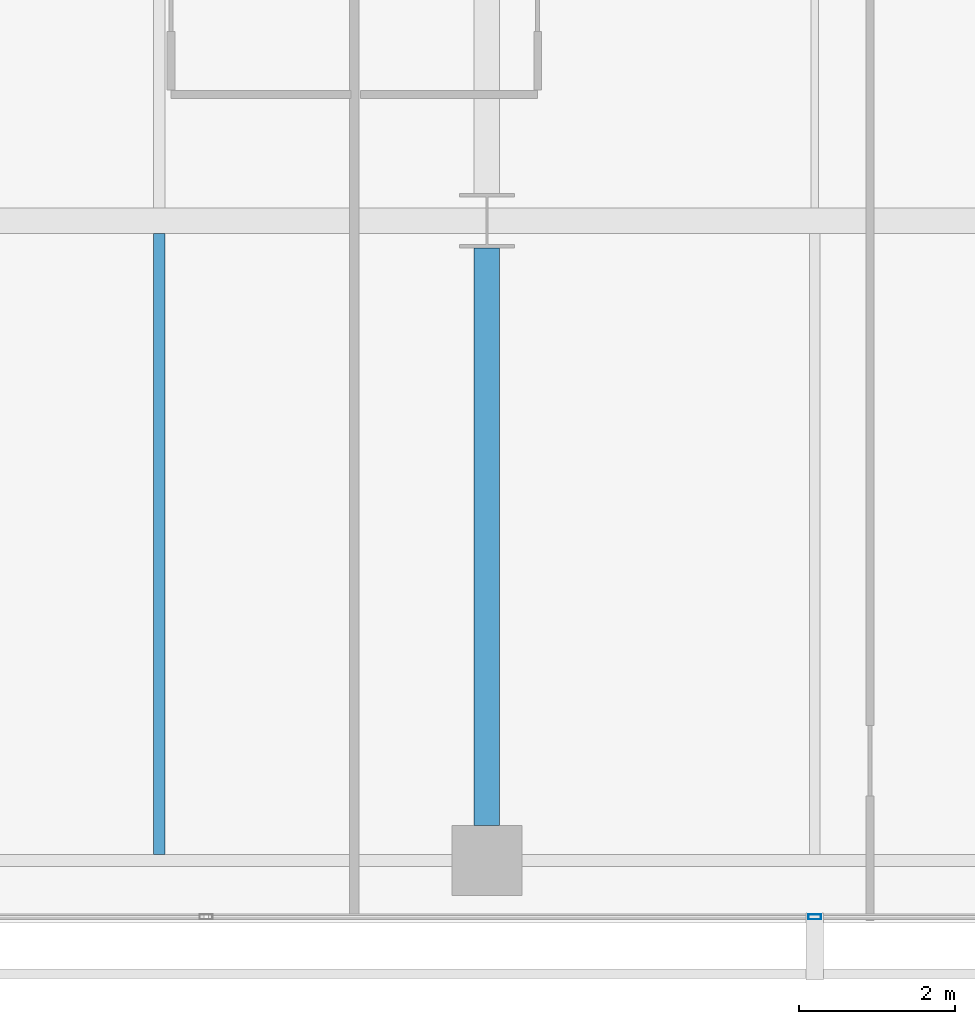
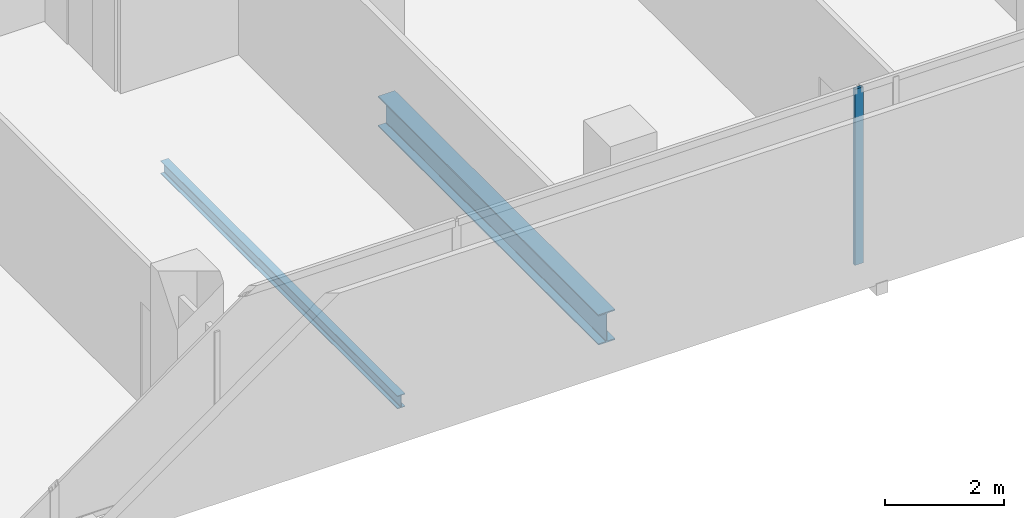
# One storey, part 8 of 39: 2 beams, 1 member, 1 element without a shape of its own.
"""IFC4 building model written with IfcOpenShell, lengths in metres."""

from ifc_helpers import new_model, si_unit, direction, frame, origin, origin_2d, place, context, subcontext, project, spatial, hollow_rectangle, i_section, extrude, material, layer, layer_set, material_profile, profile_set, type_object, element, aggregate, save


model = new_model("IFC4")

# Units and contexts
model_context = context("Model", 3, precision=1e-05, world=origin(), true_north=direction((0.0, 1.0)))
body_context = subcontext(model_context, "Body", "Model", "MODEL_VIEW")
ifc_project = project(units=[si_unit("LENGTHUNIT", "METRE"), si_unit("AREAUNIT", "SQUARE_METRE"), si_unit("VOLUMEUNIT", "CUBIC_METRE"), si_unit("PLANEANGLEUNIT", "RADIAN"), si_unit("MASSUNIT", "GRAM", prefix="KILO")], contexts=[model_context])

# Site, building, storey
site_placement = place(None, origin())
site = spatial("IfcSite", under=ifc_project, at=site_placement, CompositionType="ELEMENT")
building_placement = place(site_placement, origin())
building = spatial("IfcBuilding", under=site, at=building_placement, Name="Maruvema Waterfront Hotel and Observation Tower", CompositionType="ELEMENT")
storey_placement = place(building_placement, frame((0.0, 0.0, 69.300048828125)))
storey = spatial("IfcBuildingStorey", under=building, at=storey_placement, Name="L16", CompositionType="ELEMENT", Elevation=69.300048828125)

# Curtain wall, member
ifc_material_1 = material(Name="Anodised bronze aluminium and solar-control low-E IGU", Category="aluminium")
ifc_layer = layer(ifc_material_1, 0.159912109375, Name="Zone 1 Bronze Inner Thermal Curtain Wall System CW-02")
ifc_layer_set = layer_set([ifc_layer], Name="Anodised bronze aluminium and solar-control low-E IGU")
curtain_wall_type = type_object("IfcCurtainWallType", Name="Zone 1 Bronze Inner Thermal Curtain Wall System CW-02", PredefinedType="USERDEFINED", material=ifc_layer_set)
curtain_wall_placement = place(storey_placement, origin())
curtain_wall = element("IfcCurtainWall", 1, at=curtain_wall_placement, inside=storey, type_object=curtain_wall_type, Name="L16 Curtain Wall CW-L16-S", ObjectType="UNITISED CURTAIN WALL", PredefinedType="USERDEFINED")
ifc_material_2 = material(Name="Anodised architectural bronze aluminium", Category="aluminium")
ifc_material_profile_1 = material_profile(ifc_material_2, hollow_rectangle(XDim=0.06494140625, YDim=0.1650390625, WallThickness=0.00390625, at=origin_2d()), Name="ALU-M65x165")
ifc_profile_set_1 = profile_set([ifc_material_profile_1], Name="Anodised architectural bronze aluminium")
member_type = type_object("IfcMemberType", Name="Curtain Wall Primary Mullion ALU-M65x165", PredefinedType="MULLION", material=ifc_profile_set_1)
member_placement = place(storey_placement, frame((37.800048828125, 0.080078125, 0.0), z_axis=(0.0, 0.0, 1.0), x_axis=(0.0, 1.0, 0.0)))
member = element("IfcMember", 2, at=member_placement, type_object=member_type, Name="CW-02 mullion 4", PredefinedType="MULLION", context=body_context, shape_type="SweptSolid", body=[
    extrude(hollow_rectangle(XDim=0.06494140625, YDim=0.1650390625, WallThickness=0.00390625, at=origin_2d()), origin(), (0.0, 0.0, 1.0), 3.60986328125),
])
aggregate(curtain_wall, [member])

# Beams
ifc_material_3 = material(Name="Steel ASTM A572 Grade 50", Category="steel")
ifc_material_profile_2 = material_profile(ifc_material_3, i_section(OverallWidth=0.326904296875, OverallDepth=0.6220703125, WebThickness=0.015380859375, FlangeThickness=0.0244140625, FilletRadius=0.01806640625, at=origin_2d()), Name="W610x195.0")
ifc_profile_set_2 = profile_set([ifc_material_profile_2], Name="Steel ASTM A572 Grade 50")
beam_type_1 = type_object("IfcBeamType", Name="Primary Floor Girder W610x195.0", PredefinedType="BEAM", material=ifc_profile_set_2)
beam_1_placement = place(storey_placement, frame((33.60009765625, 1.25, -0.551025390625), z_axis=(0.0, 1.0, 0.0), x_axis=(-1.0, 0.0, 0.0)))
element("IfcBeam", 3, at=beam_1_placement, inside=storey, type_object=beam_type_1, Name="L16 Floor Girder NS-16", PredefinedType="BEAM", context=body_context, shape_type="SweptSolid", body=[
    extrude(i_section(OverallWidth=0.326904296875, OverallDepth=0.6220703125, WebThickness=0.015380859375, FlangeThickness=0.0244140625, FilletRadius=0.01806640625, at=origin_2d()), origin(), (0.0, 0.0, 1.0), 7.39990234375),
])
ifc_material_4 = material(Name="Steel ASTM A572 Grade 50", Category="steel")
ifc_material_profile_3 = material_profile(ifc_material_4, i_section(OverallWidth=0.14794921875, OverallDepth=0.26611328125, WebThickness=0.007568359375, FlangeThickness=0.012939453125, FilletRadius=0.012939453125, at=origin_2d()), Name="W250x44.8")
ifc_profile_set_3 = profile_set([ifc_material_profile_3], Name="Steel ASTM A572 Grade 50")
beam_type_2 = type_object("IfcBeamType", Name="Secondary Floor Joist W250x44.8", PredefinedType="JOIST", material=ifc_profile_set_3)
beam_2_placement = place(storey_placement, frame((29.39990234375, 0.87646484375, -0.373046875), z_axis=(0.0, 1.0, 0.0), x_axis=(-1.0, 0.0, 0.0)))
element("IfcBeam", 4, at=beam_2_placement, inside=storey, type_object=beam_type_2, Name="L16 Secondary Floor Joist JS-10", PredefinedType="JOIST", context=body_context, shape_type="SweptSolid", body=[
    extrude(i_section(OverallWidth=0.14794921875, OverallDepth=0.26611328125, WebThickness=0.007568359375, FlangeThickness=0.012939453125, FilletRadius=0.012939453125, at=origin_2d()), origin(), (0.0, 0.0, 1.0), 7.9599609375),
])

save(model, "model.ifc")
